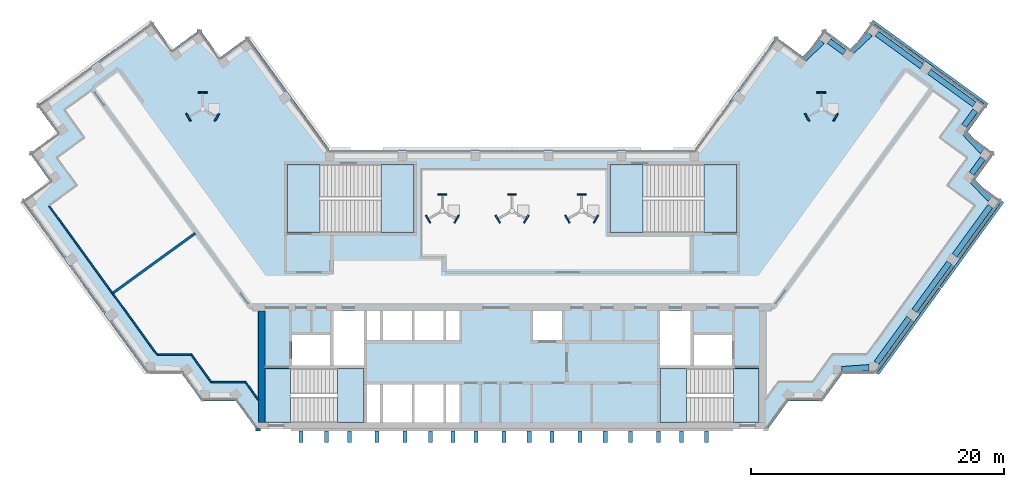
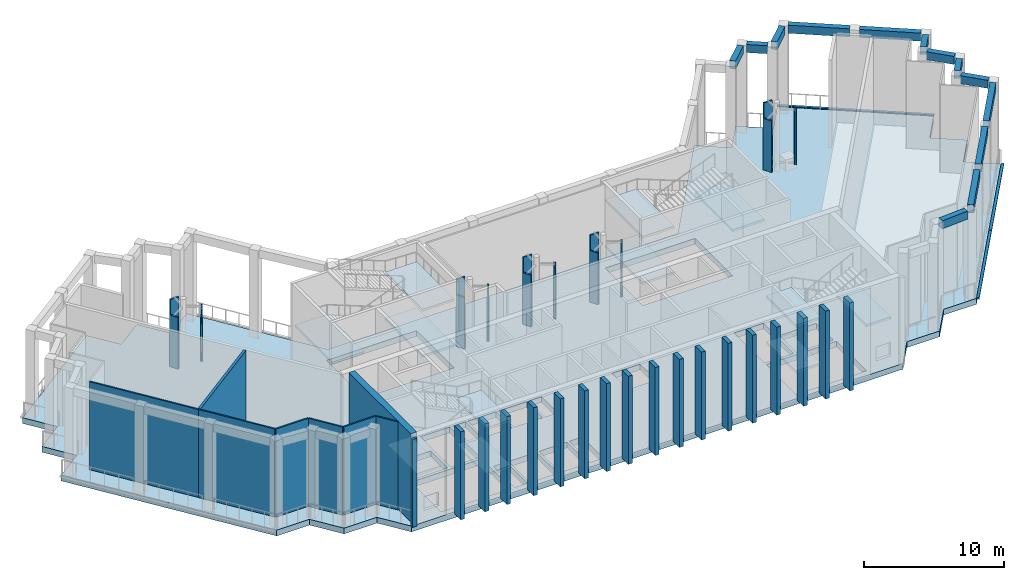
"""IFC4 building model written with IfcOpenShell, lengths in metres."""

from ifc_helpers import new_model, si_unit, direction, frame, frame_2d, origin, origin_2d, place, context, subcontext, project, spatial, polyline, rectangle, outline, extrude, material, layer, layer_set, material_profile, profile_set, type_object, element, aggregate, save


model = new_model("IFC4")

# Units and contexts
model_context = context("Model", 3, precision=1e-05, world=origin(), true_north=direction((0.0, 1.0)))
body_context = subcontext(model_context, "Body", "Model", "MODEL_VIEW")
ifc_project = project(units=[si_unit("LENGTHUNIT", "METRE"), si_unit("AREAUNIT", "SQUARE_METRE"), si_unit("VOLUMEUNIT", "CUBIC_METRE"), si_unit("PLANEANGLEUNIT", "RADIAN"), si_unit("MASSUNIT", "GRAM", prefix="KILO")], contexts=[model_context])

# Site, building, storey
site_placement = place(None, origin())
site = spatial("IfcSite", under=ifc_project, at=site_placement, CompositionType="ELEMENT")
building_placement = place(site_placement, origin())
building = spatial("IfcBuilding", under=site, at=building_placement, Name="Quipu Civic Tower", CompositionType="ELEMENT")
storey_1_placement = place(building_placement, frame((0.0, 0.0, 273.0)))
storey_1 = spatial("IfcBuildingStorey", under=building, at=storey_1_placement, Name="L64", CompositionType="ELEMENT", Elevation=273.0)

# Beams
ifc_material_1 = material(Name="Concrete C50/60", Category="concrete")
ifc_material_profile_1 = material_profile(ifc_material_1, rectangle(XDim=0.449951171875, YDim=0.699951171875, at=origin_2d()), Name="RC450x700")
ifc_profile_set_1 = profile_set([ifc_material_profile_1], Name="Concrete C50/60")
beam_type = type_object("IfcBeamType", Name="Spandrel beam RC 450x700 C50/60", PredefinedType="SPANDREL", material=ifc_profile_set_1)
beam_1_placement = place(storey_1_placement, frame((26.0244140625, -6.3115234375, 7.300048828125), z_axis=(0.997379352029, 0.072349347934, 0.0), x_axis=(-0.072349347934, 0.997379352029, 0.0)))
element("IfcBeam", 1, at=beam_1_placement, inside=storey_1, type_object=beam_type, Name="Spandrel beam L64 J-Eo.3 to J-Eo.4", PredefinedType="SPANDREL", context=body_context, shape_type="SweptSolid", body=[
    extrude(rectangle(XDim=0.449951171875, YDim=0.699951171875, at=origin_2d()), origin(), (0.0, 0.0, 1.0), 2.15625),
])
beam_2_placement = place(storey_1_placement, frame((28.779296875, -5.780029296875, 7.300048828125), z_axis=(0.58777550284, 0.809024077677, 0.0), x_axis=(-0.809024077677, 0.58777550284, 0.0)))
element("IfcBeam", 2, at=beam_2_placement, inside=storey_1, type_object=beam_type, Name="Spandrel beam L64 J-Eo.4 to E-OUT-01", PredefinedType="SPANDREL", context=body_context, shape_type="SweptSolid", body=[
    extrude(rectangle(XDim=0.449951171875, YDim=0.699951171875, at=origin_2d()), origin(), (0.0, 0.0, 1.0), 4.36083984375),
])
beam_3_placement = place(storey_1_placement, frame((31.75390625, -1.685546875, 7.300048828125), z_axis=(0.587788656305, 0.809014521204, 0.0), x_axis=(-0.809014521204, 0.587788656305, 0.0)))
element("IfcBeam", 3, at=beam_3_placement, inside=storey_1, type_object=beam_type, Name="Spandrel beam L64 E-OUT-01 to E-OUT-02", PredefinedType="SPANDREL", context=body_context, shape_type="SweptSolid", body=[
    extrude(rectangle(XDim=0.449951171875, YDim=0.699951171875, at=origin_2d()), origin(), (0.0, 0.0, 1.0), 4.7001953125),
])
beam_4_placement = place(storey_1_placement, frame((34.927978515625, 2.68310546875, 7.300048828125), z_axis=(0.587905928359, 0.808929304328, 0.0), x_axis=(-0.808929304328, 0.587905928359, 0.0)))
element("IfcBeam", 4, at=beam_4_placement, inside=storey_1, type_object=beam_type, Name="Spandrel beam L64 E-OUT-02 to T-Eo.0-E22", PredefinedType="SPANDREL", context=body_context, shape_type="SweptSolid", body=[
    extrude(rectangle(XDim=0.449951171875, YDim=0.699951171875, at=origin_2d()), origin(), (0.0, 0.0, 1.0), 4.80712890625),
])
beam_5_placement = place(storey_1_placement, frame((37.71484375, 7.11279296875, 7.300048828125), z_axis=(-0.689175330605, 0.724594620244, 0.0), x_axis=(-0.724594620244, -0.689175330605, 0.0)))
element("IfcBeam", 5, at=beam_5_placement, inside=storey_1, type_object=beam_type, Name="Spandrel beam L64 T-Eo.0-E22 to T-Eo.1-E22", PredefinedType="SPANDREL", context=body_context, shape_type="SweptSolid", body=[
    extrude(rectangle(XDim=0.449951171875, YDim=0.699951171875, at=origin_2d()), origin(), (0.0, 0.0, 1.0), 2.033447265625),
])
beam_6_placement = place(storey_1_placement, frame((36.273681640625, 9.12744140625, 7.300048828125), z_axis=(0.587164895097, 0.809467347066, 0.0), x_axis=(-0.809467347066, 0.587164895097, 0.0)))
element("IfcBeam", 6, at=beam_6_placement, inside=storey_1, type_object=beam_type, Name="Spandrel beam L64 T-Eo.1-E22 to T-Eo.2-E22", PredefinedType="SPANDREL", context=body_context, shape_type="SweptSolid", body=[
    extrude(rectangle(XDim=0.449951171875, YDim=0.699951171875, at=origin_2d()), origin(), (0.0, 0.0, 1.0), 1.500244140625),
])
beam_7_placement = place(storey_1_placement, frame((37.114990234375, 10.88330078125, 7.300048828125), z_axis=(-0.688247466856, 0.725475998477, 0.0), x_axis=(-0.725475998477, -0.688247466856, 0.0)))
element("IfcBeam", 7, at=beam_7_placement, inside=storey_1, type_object=beam_type, Name="Spandrel beam L64 T-Eo.2-E22 to T-Eo.3-E22", PredefinedType="SPANDREL", context=body_context, shape_type="SweptSolid", body=[
    extrude(rectangle(XDim=0.449951171875, YDim=0.699951171875, at=origin_2d()), origin(), (0.0, 0.0, 1.0), 2.032958984375),
])
beam_8_placement = place(storey_1_placement, frame((35.6767578125, 12.8994140625, 7.300048828125), z_axis=(0.588345920092, 0.808609348394, 0.0), x_axis=(-0.808609348394, 0.588345920092, 0.0)))
element("IfcBeam", 8, at=beam_8_placement, inside=storey_1, type_object=beam_type, Name="Spandrel beam L64 T-Eo.3-E22 to T-Eo.4-E22", PredefinedType="SPANDREL", context=body_context, shape_type="SweptSolid", body=[
    extrude(rectangle(XDim=0.449951171875, YDim=0.699951171875, at=origin_2d()), origin(), (0.0, 0.0, 1.0), 1.499755859375),
])
beam_9_placement = place(storey_1_placement, frame((36.481689453125, 14.6005859375, 7.300048828125), z_axis=(-0.809117270763, 0.587647208921, 0.0), x_axis=(-0.587647208921, -0.809117270763, 0.0)))
element("IfcBeam", 9, at=beam_9_placement, inside=storey_1, type_object=beam_type, Name="Spandrel beam L64 T-Eo.4-E22 to TIP-E-01-E22", PredefinedType="SPANDREL", context=body_context, shape_type="SweptSolid", body=[
    extrude(rectangle(XDim=0.449951171875, YDim=0.699951171875, at=origin_2d()), origin(), (0.0, 0.0, 1.0), 4.40185546875),
])
beam_10_placement = place(storey_1_placement, frame((32.353759765625, 17.5986328125, 7.300048828125), z_axis=(-0.809146152767, 0.587607439931, 0.0), x_axis=(-0.587607439931, -0.809146152767, 0.0)))
element("IfcBeam", 10, at=beam_10_placement, inside=storey_1, type_object=beam_type, Name="Spandrel beam L64 TIP-E-01-E22 to T-Ei.0-E22", PredefinedType="SPANDREL", context=body_context, shape_type="SweptSolid", body=[
    extrude(rectangle(XDim=0.449951171875, YDim=0.699951171875, at=origin_2d()), origin(), (0.0, 0.0, 1.0), 4.400390625),
])
beam_11_placement = place(storey_1_placement, frame((28.251708984375, 20.14501953125, 7.300048828125), z_axis=(-0.725359138958, -0.688370626574, 0.0), x_axis=(0.688370626574, -0.725359138958, 0.0)))
element("IfcBeam", 11, at=beam_11_placement, inside=storey_1, type_object=beam_type, Name="Spandrel beam L64 T-Ei.0-E22 to T-Ei.1-E22", PredefinedType="SPANDREL", context=body_context, shape_type="SweptSolid", body=[
    extrude(rectangle(XDim=0.449951171875, YDim=0.699951171875, at=origin_2d()), origin(), (0.0, 0.0, 1.0), 2.032958984375),
])
beam_12_placement = place(storey_1_placement, frame((26.236083984375, 18.70654296875, 7.300048828125), z_axis=(-0.808644589435, 0.588297482553, 0.0), x_axis=(-0.588297482553, -0.808644589435, 0.0)))
element("IfcBeam", 12, at=beam_12_placement, inside=storey_1, type_object=beam_type, Name="Spandrel beam L64 T-Ei.1-E22 to T-Ei.2-E22", PredefinedType="SPANDREL", context=body_context, shape_type="SweptSolid", body=[
    extrude(rectangle(XDim=0.449951171875, YDim=0.699951171875, at=origin_2d()), origin(), (0.0, 0.0, 1.0), 1.500244140625),
])
beam_13_placement = place(storey_1_placement, frame((24.48193359375, 19.5498046875, 7.300048828125), z_axis=(-0.72511931772, -0.6886232461, 0.0), x_axis=(0.6886232461, -0.72511931772, 0.0)))
element("IfcBeam", 13, at=beam_13_placement, inside=storey_1, type_object=beam_type, Name="Spandrel beam L64 T-Ei.2-E22 to T-Ei.3-E22", PredefinedType="SPANDREL", context=body_context, shape_type="SweptSolid", body=[
    extrude(rectangle(XDim=0.449951171875, YDim=0.699951171875, at=origin_2d()), origin(), (0.0, 0.0, 1.0), 2.03369140625),
])

# Storey
storey_2_placement = place(building_placement, frame((0.0, 0.0, 269.0)))
storey_2 = spatial("IfcBuildingStorey", under=building, at=storey_2_placement, Name="L63", CompositionType="ELEMENT", Elevation=269.0)

# Curtain wall, members
ifc_material_2 = material(Name="Insulated glass unit", Category="glass")
curtain_wall_type = type_object("IfcCurtainWallType", Name="Office curtain wall CW1", PredefinedType="NOTDEFINED", material=ifc_material_2)
curtain_wall_1_placement = place(storey_2_placement, origin())
curtain_wall_1 = element("IfcCurtainWall", 14, at=curtain_wall_1_placement, inside=storey_2, type_object=curtain_wall_type, Name="Office curtain wall CW1 L62 run 16", PredefinedType="NOTDEFINED")
ifc_material_3 = material(Name="Anodised aluminium", Category="aluminium")
ifc_material_profile_2 = material_profile(ifc_material_3, rectangle(XDim=0.199951171875, YDim=0.159912109375, at=origin_2d()), Name="RECT 200x160")
ifc_profile_set_2 = profile_set([ifc_material_profile_2], Name="Anodised aluminium")
member_type = type_object("IfcMemberType", Name="Transom CW1", PredefinedType="USERDEFINED", material=ifc_profile_set_2)
member_1_placement = place(storey_1_placement, frame((28.876708984375, -6.66650390625, 0.0), z_axis=(0.587812107925, 0.808997481935, 0.0), x_axis=(-0.808997481935, 0.587812107925, 0.0)))
member_1 = element("IfcMember", 15, at=member_1_placement, inside=storey_1, type_object=member_type, Name="CW1 transom 1.3", ObjectType="TRANSOM", PredefinedType="USERDEFINED", context=body_context, shape_type="SweptSolid", body=[
    extrude(rectangle(XDim=0.199951171875, YDim=0.159912109375, at=origin_2d()), origin(), (0.0, 0.0, 1.0), 8.35791015625),
])
member_2_placement = place(storey_1_placement, frame((33.83642578125, 0.15966796875, 0.0), z_axis=(0.587779098815, 0.809021465102, 0.0), x_axis=(-0.809021465102, 0.587779098815, 0.0)))
member_2 = element("IfcMember", 16, at=member_2_placement, inside=storey_1, type_object=member_type, Name="CW1 transom 2.3", ObjectType="TRANSOM", PredefinedType="USERDEFINED", context=body_context, shape_type="SweptSolid", body=[
    extrude(rectangle(XDim=0.199951171875, YDim=0.159912109375, at=origin_2d()), origin(), (0.0, 0.0, 1.0), 8.35791015625),
])
aggregate(curtain_wall_1, [member_1, member_2])

# Curtain wall, member
curtain_wall_2_placement = place(storey_2_placement, origin())
curtain_wall_2 = element("IfcCurtainWall", 17, at=curtain_wall_2_placement, inside=storey_2, type_object=curtain_wall_type, Name="Office curtain wall CW1 L62 run 21", PredefinedType="NOTDEFINED")
member_3_placement = place(storey_1_placement, frame((37.536865234375, 14.575927734375, 0.0), z_axis=(-0.809022463805, 0.587777724194, 0.0), x_axis=(-0.587777724194, -0.809022463805, 0.0)))
member_3 = element("IfcMember", 18, at=member_3_placement, inside=storey_1, type_object=member_type, Name="CW1 transom 1.3", ObjectType="TRANSOM", PredefinedType="USERDEFINED", context=body_context, shape_type="SweptSolid", body=[
    extrude(rectangle(XDim=0.199951171875, YDim=0.159912109375, at=origin_2d()), origin(), (0.0, 0.0, 1.0), 11.240234375),
])
aggregate(curtain_wall_2, [member_3])

# Slab
ifc_material_4 = material(Name="Concrete C40/50", Category="concrete")
ifc_layer_1 = layer(ifc_material_4, 0.5)
ifc_layer_set_1 = layer_set([ifc_layer_1], Name="Concrete C40/50")
slab_type_1 = type_object("IfcSlabType", Name="Floor slab 500 C40/50", PredefinedType="FLOOR", material=ifc_layer_set_1)
slab_1_placement = place(storey_1_placement, frame((0.0, 0.0, -0.5)))
element("IfcSlab", 19, at=slab_1_placement, inside=storey_1, type_object=slab_type_1, Name="Floor slab L64", PredefinedType="FLOOR", context=body_context, shape_type="SweptSolid", body=[
    extrude(outline(polyline([(20.860107421875, 19.89501953125), (23.0400390625, 18.31005859375), (24.6298828125, 20.4951171875), (26.81494140625, 18.905029296875), (28.39990234375, 21.090087890625), (37.4599609375, 14.5048828125), (35.875, 12.320068359375), (38.06005859375, 10.735107421875), (36.469970703125, 8.550048828125), (38.655029296875, 6.965087890625), (28.780029296875, -6.6298828125), (26.080078125, -6.6298828125), (24.489990234375, -8.81494140625), (21.7900390625, -8.81494140625), (20.205078125, -11.0), (-20.205078125, -11.0), (-21.7900390625, -8.81494140625), (-24.489990234375, -8.81494140625), (-26.080078125, -6.6298828125), (-28.780029296875, -6.6298828125), (-38.655029296875, 6.965087890625), (-36.469970703125, 8.550048828125), (-38.06005859375, 10.735107421875), (-35.875, 12.320068359375), (-37.4599609375, 14.5048828125), (-28.39990234375, 21.090087890625), (-26.81494140625, 18.905029296875), (-24.6298828125, 20.4951171875), (-23.0400390625, 18.31005859375), (-20.860107421875, 19.89501953125), (-14.39501953125, 11.0), (14.39501953125, 11.0), (20.860107421875, 19.89501953125)]), holes=[polyline([(-11.449951171875, -7.5), (-11.449951171875, -10.5), (-10.39990234375, -10.5), (-10.39990234375, -7.5), (-11.449951171875, -7.5)]), polyline([(-10.199951171875, -7.5), (-10.199951171875, -10.5), (-7.89990234375, -10.5), (-7.89990234375, -7.5), (-10.199951171875, -7.5)]), polyline([(-7.699951171875, -7.5), (-7.699951171875, -10.5), (-5.39990234375, -10.5), (-5.39990234375, -7.5), (-7.699951171875, -7.5)]), polyline([(-11.705078125, -6.2548828125), (-17.4951171875, -6.2548828125), (-17.4951171875, -10.4951171875), (-11.705078125, -10.4951171875), (-11.705078125, -6.2548828125)]), polyline([(-17.35009765625, -3.60009765625), (-17.35009765625, -6.0), (-14.35009765625, -6.0), (-14.35009765625, -3.60009765625), (-17.35009765625, -3.60009765625)]), polyline([(-14.10009765625, -1.699951171875), (-14.10009765625, -6.0), (-11.699951171875, -6.0), (-11.699951171875, -1.699951171875), (-14.10009765625, -1.699951171875)]), polyline([(-11.449951171875, -1.699951171875), (-11.449951171875, -4.0), (-10.39990234375, -4.0), (-10.39990234375, -1.699951171875), (-11.449951171875, -1.699951171875)]), polyline([(-10.199951171875, -1.699951171875), (-10.199951171875, -4.0), (-7.89990234375, -4.0), (-7.89990234375, -1.699951171875), (-10.199951171875, -1.699951171875)]), polyline([(-7.7548828125, 9.844970703125), (-15.14501953125, 9.844970703125), (-15.14501953125, 4.5048828125), (-7.7548828125, 4.5048828125), (-7.7548828125, 9.844970703125)]), polyline([(-5.199951171875, -7.5), (-5.199951171875, -10.5), (-4.14990234375, -10.5), (-4.14990234375, -7.5), (-5.199951171875, -7.5)]), polyline([(11.705078125, -10.4951171875), (17.4951171875, -10.4951171875), (17.4951171875, -6.2548828125), (11.705078125, -6.2548828125), (11.705078125, -10.4951171875)]), polyline([(14.35009765625, -3.60009765625), (14.35009765625, -6.0), (17.35009765625, -6.0), (17.35009765625, -3.60009765625), (14.35009765625, -3.60009765625)]), polyline([(11.699951171875, -1.699951171875), (11.699951171875, -6.0), (14.10009765625, -6.0), (14.10009765625, -1.699951171875), (11.699951171875, -1.699951171875)]), polyline([(-7.699951171875, -1.699951171875), (-7.699951171875, -4.0), (-5.39990234375, -4.0), (-5.39990234375, -1.699951171875), (-7.699951171875, -1.699951171875)]), polyline([(-5.199951171875, -1.699951171875), (-5.199951171875, -4.0), (-4.14990234375, -4.0), (-4.14990234375, -1.699951171875), (-5.199951171875, -1.699951171875)]), polyline([(3.949951171875, -1.699951171875), (1.64990234375, -1.699951171875), (1.64990234375, -4.0), (3.949951171875, -4.0), (3.949951171875, -1.699951171875)]), polyline([(7.7548828125, 9.844970703125), (7.7548828125, 4.5048828125), (15.14501953125, 4.5048828125), (15.14501953125, 9.844970703125), (7.7548828125, 9.844970703125)])]), origin(), (0.0, 0.0, 1.0), 0.5),
])

# Plates
ifc_material_5 = material(Name="Precast concrete C40/50", Category="concrete")
plate_type_1 = type_object("IfcPlateType", Name="Precast fin F3", PredefinedType="SHEET", material=ifc_material_5)
for number, where, z_axis, x_axis, name in (
    (20, (-16.639892578125, -11.637939453125, 0.0), (0.0, 0.0, 1.0), (1.0, 0.0, 0.0), "Precast fin F3 L64.2.1"),
    (21, (-14.639892578125, -11.637939453125, 0.0), (0.0, 0.0, 1.0), (1.0, 0.0, 0.0), "Precast fin F3 L64.2.2"),
    (22, (-12.840087890625, -11.637939453125, 0.0), (0.0, 0.0, 1.0), (1.0, 0.0, 0.0), "Precast fin F3 L64.2.3"),
    (23, (-10.639892578125, -11.637939453125, 0.0), (0.0, 0.0, 1.0), (1.0, 0.0, 0.0), "Precast fin F3 L64.2.4"),
    (24, (-8.43994140625, -11.637939453125, 0.0), (0.0, 0.0, 1.0), (1.0, 0.0, 0.0), "Precast fin F3 L64.2.5"),
    (25, (-6.43994140625, -11.637939453125, 0.0), (0.0, 0.0, 1.0), (1.0, 0.0, 0.0), "Precast fin F3 L64.2.6"),
    (26, (-4.639892578125, -11.637939453125, 0.0), (0.0, 0.0, 1.0), (1.0, 0.0, 0.0), "Precast fin F3 L64.2.7"),
    (27, (-2.840087890625, -11.637939453125, 0.0), (0.0, 0.0, 1.0), (1.0, 0.0, 0.0), "Precast fin F3 L64.2.8"),
    (28, (-0.639892578125, -11.637939453125, 0.0), (0.0, 0.0, 1.0), (1.0, 0.0, 0.0), "Precast fin F3 L64.2.9"),
    (29, (1.360107421875, -11.637939453125, 0.0), (0.0, 0.0, 1.0), (1.0, 0.0, 0.0), "Precast fin F3 L64.2.10"),
    (30, (3.159912109375, -11.637939453125, 0.0), (0.0, 0.0, 1.0), (1.0, 0.0, 0.0), "Precast fin F3 L64.2.11"),
    (31, (5.360107421875, -11.637939453125, 0.0), (0.0, 0.0, 1.0), (1.0, 0.0, 0.0), "Precast fin F3 L64.2.12"),
    (32, (7.360107421875, -11.637939453125, 0.0), (0.0, 0.0, 1.0), (1.0, 0.0, 0.0), "Precast fin F3 L64.2.13"),
    (33, (9.360107421875, -11.637939453125, 0.0), (0.0, 0.0, 1.0), (1.0, 0.0, 0.0), "Precast fin F3 L64.2.14"),
    (34, (11.56005859375, -11.637939453125, 0.0), (0.0, 0.0, 1.0), (1.0, 0.0, 0.0), "Precast fin F3 L64.2.15"),
    (35, (13.360107421875, -11.637939453125, 0.0), (0.0, 0.0, 1.0), (1.0, 0.0, 0.0), "Precast fin F3 L64.2.16"),
    (36, (15.360107421875, -11.637939453125, 0.0), (0.0, 0.0, 1.0), (1.0, 0.0, 0.0), "Precast fin F3 L64.2.17"),
):
    element("IfcPlate", number, at=place(storey_1_placement, frame(where, z_axis=z_axis, x_axis=x_axis)), inside=storey_1, type_object=plate_type_1, Name=name, PredefinedType="SHEET", context=body_context, shape_type="SweptSolid", body=[
        extrude(rectangle(XDim=0.320068359375, YDim=0.89990234375, at=origin_2d()), origin(), (0.0, 0.0, 1.0), 7.64990234375),
    ])

# Stair, slabs
ifc_material_6 = material(Name="Concrete C40/50", Category="concrete")
stair_type_1 = type_object("IfcStairType", Name="Half turn stair 2000", PredefinedType="HALF_TURN_STAIR", material=ifc_material_6)
stair_1_placement = place(storey_1_placement, origin())
stair_1 = element("IfcStair", 37, at=stair_1_placement, inside=storey_1, type_object=stair_type_1, Name="Exit stair 1", PredefinedType="HALF_TURN_STAIR")
ifc_material_7 = material(Name="Concrete C40/50", Category="concrete")
ifc_layer_2 = layer(ifc_material_7, 0.199951171875)
ifc_layer_set_2 = layer_set([ifc_layer_2], Name="Concrete C40/50")
slab_type_2 = type_object("IfcSlabType", Name="Stair landing 200", PredefinedType="LANDING", material=ifc_layer_set_2)
slab_2_placement = place(storey_1_placement, frame((0.0, 0.0, 1.800048828125)))
slab_2 = element("IfcSlab", 38, at=slab_2_placement, type_object=slab_type_2, Name="ST-1 landing 1", PredefinedType="LANDING", context=body_context, shape_type="SweptSolid", body=[
    extrude(outline(polyline([(-13.780029296875, -10.5), (-11.699951171875, -10.5), (-11.699951171875, -6.25), (-13.780029296875, -6.25), (-13.780029296875, -10.5)])), origin(), (0.0, 0.0, 1.0), 0.199951171875),
])
slab_3_placement = place(storey_1_placement, frame((0.0, 0.0, 3.800048828125)))
slab_3 = element("IfcSlab", 39, at=slab_3_placement, type_object=slab_type_2, Name="ST-1 landing 2", PredefinedType="LANDING", context=body_context, shape_type="SweptSolid", body=[
    extrude(outline(polyline([(-19.5, -10.5), (-17.5, -10.5), (-17.5, -6.25), (-19.5, -6.25), (-19.5, -10.5)])), origin(), (0.0, 0.0, 1.0), 0.199951171875),
])
slab_4_placement = place(storey_1_placement, frame((0.0, 0.0, 5.800048828125)))
slab_4 = element("IfcSlab", 40, at=slab_4_placement, type_object=slab_type_2, Name="ST-1 landing 3", PredefinedType="LANDING", context=body_context, shape_type="SweptSolid", body=[
    extrude(outline(polyline([(-13.780029296875, -10.5), (-11.699951171875, -10.5), (-11.699951171875, -6.25), (-13.780029296875, -6.25), (-13.780029296875, -10.5)])), origin(), (0.0, 0.0, 1.0), 0.199951171875),
])
aggregate(stair_1, [slab_2, slab_3, slab_4])

stair_2_placement = place(storey_1_placement, origin())
stair_2 = element("IfcStair", 41, at=stair_2_placement, inside=storey_1, type_object=stair_type_1, Name="Exit stair 2", PredefinedType="HALF_TURN_STAIR")
slab_5_placement = place(storey_1_placement, frame((0.0, 0.0, 1.800048828125)))
slab_5 = element("IfcSlab", 42, at=slab_5_placement, type_object=slab_type_2, Name="ST-2 landing 1", PredefinedType="LANDING", context=body_context, shape_type="SweptSolid", body=[
    extrude(outline(polyline([(13.780029296875, -6.25), (11.699951171875, -6.25), (11.699951171875, -10.5), (13.780029296875, -10.5), (13.780029296875, -6.25)])), origin(), (0.0, 0.0, 1.0), 0.199951171875),
])
slab_6_placement = place(storey_1_placement, frame((0.0, 0.0, 3.800048828125)))
slab_6 = element("IfcSlab", 43, at=slab_6_placement, type_object=slab_type_2, Name="ST-2 landing 2", PredefinedType="LANDING", context=body_context, shape_type="SweptSolid", body=[
    extrude(outline(polyline([(19.5, -6.25), (17.5, -6.25), (17.5, -10.5), (19.5, -10.5), (19.5, -6.25)])), origin(), (0.0, 0.0, 1.0), 0.199951171875),
])
slab_7_placement = place(storey_1_placement, frame((0.0, 0.0, 5.800048828125)))
slab_7 = element("IfcSlab", 44, at=slab_7_placement, type_object=slab_type_2, Name="ST-2 landing 3", PredefinedType="LANDING", context=body_context, shape_type="SweptSolid", body=[
    extrude(outline(polyline([(13.780029296875, -6.25), (11.699951171875, -6.25), (11.699951171875, -10.5), (13.780029296875, -10.5), (13.780029296875, -6.25)])), origin(), (0.0, 0.0, 1.0), 0.199951171875),
])
aggregate(stair_2, [slab_5, slab_6, slab_7])

ifc_material_8 = material(Name="Concrete C40/50", Category="concrete")
stair_type_2 = type_object("IfcStairType", Name="Half turn stair 2600", PredefinedType="HALF_TURN_STAIR", material=ifc_material_8)
stair_3_placement = place(storey_1_placement, origin())
stair_3 = element("IfcStair", 45, at=stair_3_placement, inside=storey_1, type_object=stair_type_2, Name="Exit stair 3", PredefinedType="HALF_TURN_STAIR")
slab_8_placement = place(storey_1_placement, frame((0.0, 0.0, 1.800048828125)))
slab_8 = element("IfcSlab", 46, at=slab_8_placement, type_object=slab_type_2, Name="ST-3 landing 1", PredefinedType="LANDING", context=body_context, shape_type="SweptSolid", body=[
    extrude(outline(polyline([(-10.35009765625, 4.5), (-7.75, 4.5), (-7.75, 9.85009765625), (-10.35009765625, 9.85009765625), (-10.35009765625, 4.5)])), origin(), (0.0, 0.0, 1.0), 0.199951171875),
])
slab_9_placement = place(storey_1_placement, frame((0.0, 0.0, 3.800048828125)))
slab_9 = element("IfcSlab", 47, at=slab_9_placement, type_object=slab_type_2, Name="ST-3 landing 2", PredefinedType="LANDING", context=body_context, shape_type="SweptSolid", body=[
    extrude(outline(polyline([(-17.75, 4.5), (-15.14990234375, 4.5), (-15.14990234375, 9.85009765625), (-17.75, 9.85009765625), (-17.75, 4.5)])), origin(), (0.0, 0.0, 1.0), 0.199951171875),
])
slab_10_placement = place(storey_1_placement, frame((0.0, 0.0, 5.800048828125)))
slab_10 = element("IfcSlab", 48, at=slab_10_placement, type_object=slab_type_2, Name="ST-3 landing 3", PredefinedType="LANDING", context=body_context, shape_type="SweptSolid", body=[
    extrude(outline(polyline([(-10.35009765625, 4.5), (-7.75, 4.5), (-7.75, 9.85009765625), (-10.35009765625, 9.85009765625), (-10.35009765625, 4.5)])), origin(), (0.0, 0.0, 1.0), 0.199951171875),
])
aggregate(stair_3, [slab_8, slab_9, slab_10])

stair_4_placement = place(storey_1_placement, origin())
stair_4 = element("IfcStair", 49, at=stair_4_placement, inside=storey_1, type_object=stair_type_2, Name="Exit stair 4", PredefinedType="HALF_TURN_STAIR")
slab_11_placement = place(storey_1_placement, frame((0.0, 0.0, 1.800048828125)))
slab_11 = element("IfcSlab", 50, at=slab_11_placement, type_object=slab_type_2, Name="ST-4 landing 1", PredefinedType="LANDING", context=body_context, shape_type="SweptSolid", body=[
    extrude(outline(polyline([(10.35009765625, 9.85009765625), (7.75, 9.85009765625), (7.75, 4.5), (10.35009765625, 4.5), (10.35009765625, 9.85009765625)])), origin(), (0.0, 0.0, 1.0), 0.199951171875),
])
slab_12_placement = place(storey_1_placement, frame((0.0, 0.0, 3.800048828125)))
slab_12 = element("IfcSlab", 51, at=slab_12_placement, type_object=slab_type_2, Name="ST-4 landing 2", PredefinedType="LANDING", context=body_context, shape_type="SweptSolid", body=[
    extrude(outline(polyline([(17.75, 9.85009765625), (15.14990234375, 9.85009765625), (15.14990234375, 4.5), (17.75, 4.5), (17.75, 9.85009765625)])), origin(), (0.0, 0.0, 1.0), 0.199951171875),
])
slab_13_placement = place(storey_1_placement, frame((0.0, 0.0, 5.800048828125)))
slab_13 = element("IfcSlab", 52, at=slab_13_placement, type_object=slab_type_2, Name="ST-4 landing 3", PredefinedType="LANDING", context=body_context, shape_type="SweptSolid", body=[
    extrude(outline(polyline([(10.35009765625, 9.85009765625), (7.75, 9.85009765625), (7.75, 4.5), (10.35009765625, 4.5), (10.35009765625, 9.85009765625)])), origin(), (0.0, 0.0, 1.0), 0.199951171875),
])
aggregate(stair_4, [slab_11, slab_12, slab_13])

# Plates
ifc_material_9 = material(Name="Anodised aluminium", Category="aluminium")
ifc_layer_3 = layer(ifc_material_9, 0.1201171875)
ifc_layer_set_3 = layer_set([ifc_layer_3], Name="Anodised aluminium")
plate_type_2 = type_object("IfcPlateType", Name="Turbine blade", PredefinedType="SHEET", material=ifc_layer_set_3)
for number, where, z_axis, x_axis, name in (
    (53, (-24.412109375, 15.5380859375, 0.760009765625), (0.0, 0.0, 1.0), (-1.0, 0.0, 0.0), "Wind turbine VT-1 blade 1"),
    (54, (-25.537841796875, 13.587890625, 0.760009765625), (0.0, 0.0, 1.0), (0.5, -0.866025403784, 0.0), "Wind turbine VT-1 blade 2"),
    (55, (-23.2861328125, 13.587890625, 0.760009765625), (0.0, 0.0, 1.0), (0.5, 0.866025403784, 0.0), "Wind turbine VT-1 blade 3"),
    (56, (-5.5, 7.5, 0.760009765625), (0.0, 0.0, 1.0), (-1.0, 0.0, 0.0), "Wind turbine VT-2 blade 1"),
    (57, (-6.625732421875, 5.550048828125, 0.760009765625), (0.0, 0.0, 1.0), (0.5, -0.866025403784, 0.0), "Wind turbine VT-2 blade 2"),
    (58, (-4.374267578125, 5.550048828125, 0.760009765625), (0.0, 0.0, 1.0), (0.5, 0.866025403784, 0.0), "Wind turbine VT-2 blade 3"),
    (59, (0.0, 7.5, 0.760009765625), (0.0, 0.0, 1.0), (-1.0, 0.0, 0.0), "Wind turbine VT-3 blade 1"),
    (60, (-1.125732421875, 5.550048828125, 0.760009765625), (0.0, 0.0, 1.0), (0.5, -0.866025403784, 0.0), "Wind turbine VT-3 blade 2"),
    (61, (1.125732421875, 5.550048828125, 0.760009765625), (0.0, 0.0, 1.0), (0.5, 0.866025403784, 0.0), "Wind turbine VT-3 blade 3"),
    (62, (5.5, 7.5, 0.760009765625), (0.0, 0.0, 1.0), (-1.0, 0.0, 0.0), "Wind turbine VT-4 blade 1"),
    (63, (4.374267578125, 5.550048828125, 0.760009765625), (0.0, 0.0, 1.0), (0.5, -0.866025403784, 0.0), "Wind turbine VT-4 blade 2"),
    (64, (6.625732421875, 5.550048828125, 0.760009765625), (0.0, 0.0, 1.0), (0.5, 0.866025403784, 0.0), "Wind turbine VT-4 blade 3"),
    (65, (24.412109375, 15.5380859375, 0.760009765625), (0.0, 0.0, 1.0), (-1.0, 0.0, 0.0), "Wind turbine VT-5 blade 1"),
    (66, (23.2861328125, 13.587890625, 0.760009765625), (0.0, 0.0, 1.0), (0.5, -0.866025403784, 0.0), "Wind turbine VT-5 blade 2"),
    (67, (25.537841796875, 13.587890625, 0.760009765625), (0.0, 0.0, 1.0), (0.5, 0.866025403784, 0.0), "Wind turbine VT-5 blade 3"),
):
    element("IfcPlate", number, at=place(storey_1_placement, frame(where, z_axis=z_axis, x_axis=x_axis)), inside=storey_1, type_object=plate_type_2, Name=name, PredefinedType="SHEET", context=body_context, shape_type="SweptSolid", body=[
        extrude(rectangle(XDim=0.699951171875, YDim=0.1201171875, at=origin_2d()), origin(), (0.0, 0.0, 1.0), 4.47998046875),
    ])

# Walls
ifc_material_10 = material(Name="Fired clay blockwork", Category="masonry")
ifc_layer_4 = layer(ifc_material_10, 0.199951171875)
ifc_layer_set_4 = layer_set([ifc_layer_4], Name="Fired clay blockwork")
wall_type_1 = type_object("IfcWallType", Name="Blockwork wall 200", PredefinedType="SOLIDWALL", material=ifc_layer_set_4)
wall_1_placement = place(storey_1_placement, frame((-25.00830078125, 4.4267578125, 0.0), z_axis=(0.0, 0.0, 1.0), x_axis=(-0.809016634131, -0.587785748125, 0.0)))
element("IfcWall", 68, at=wall_1_placement, inside=storey_1, type_object=wall_type_1, Name="Partition P01", PredefinedType="SOLIDWALL", context=body_context, shape_type="SweptSolid", body=[
    extrude(rectangle(XDim=8.050537109375, YDim=0.199951171875, at=frame_2d((4.025390625, 0.0))), origin(), (0.0, 0.0, 1.0), 7.64990234375),
])
ifc_material_11 = material(Name="Concrete C70/85", Category="concrete")
ifc_layer_5 = layer(ifc_material_11, 0.5)
ifc_layer_set_5 = layer_set([ifc_layer_5], Name="Concrete C70/85")
wall_type_2 = type_object("IfcWallType", Name="Core wall 500", PredefinedType="SHEAR", material=ifc_layer_set_5)
wall_2_placement = place(storey_1_placement, frame((-19.75, -10.5, 0.0), z_axis=(0.0, 0.0, 1.0), x_axis=(0.0, 1.0, 0.0)))
element("IfcWall", 69, at=wall_2_placement, inside=storey_1, type_object=wall_type_2, Name="Core wall", PredefinedType="SHEAR", context=body_context, shape_type="SweptSolid", body=[
    extrude(rectangle(XDim=8.800048828125, YDim=0.5, at=frame_2d((4.39990234375, 0.0))), origin(), (0.0, 0.0, 1.0), 7.64990234375),
])
ifc_material_12 = material(Name="Gypsum plasterboard on light gauge framing")
ifc_layer_6 = layer(ifc_material_12, 0.1201171875)
ifc_layer_set_6 = layer_set([ifc_layer_6], Name="Gypsum plasterboard on light gauge framing")
wall_type_3 = type_object("IfcWallType", Name="Partition 120 plasterboard", PredefinedType="PARTITIONING", material=ifc_layer_set_6)
wall_3_placement = place(storey_1_placement, frame((-28.014892578125, -5.131103515625, 0.0), z_axis=(0.0, 0.0, 1.0), x_axis=(1.0, 0.0, 0.0)))
element("IfcWall", 70, at=wall_3_placement, inside=storey_1, type_object=wall_type_3, Name="Partition P04", PredefinedType="PARTITIONING", context=body_context, shape_type="SweptSolid", body=[
    extrude(rectangle(XDim=2.699951171875, YDim=0.1201171875, at=frame_2d((1.35009765625, 0.0))), origin(), (0.0, 0.0, 1.0), 7.64990234375),
])
wall_4_placement = place(storey_1_placement, frame((-25.29150390625, -5.163330078125, 0.0), z_axis=(0.0, 0.0, 1.0), x_axis=(0.587669599435, -0.809101008466, 0.0)))
element("IfcWall", 71, at=wall_4_placement, inside=storey_1, type_object=wall_type_3, Name="Partition P05", PredefinedType="PARTITIONING", context=body_context, shape_type="SweptSolid", body=[
    extrude(rectangle(XDim=2.660400390625, YDim=0.1201171875, at=frame_2d((1.330078125, 0.0))), origin(), (0.0, 0.0, 1.0), 7.64990234375),
])
wall_5_placement = place(storey_1_placement, frame((-23.68798828125, -7.31591796875, 0.0), z_axis=(0.0, 0.0, 1.0), x_axis=(1.0, 0.0, 0.0)))
element("IfcWall", 72, at=wall_5_placement, inside=storey_1, type_object=wall_type_3, Name="Partition P06", PredefinedType="PARTITIONING", context=body_context, shape_type="SweptSolid", body=[
    extrude(rectangle(XDim=2.659912109375, YDim=0.1201171875, at=frame_2d((1.330078125, 0.0))), origin(), (0.0, 0.0, 1.0), 7.64990234375),
])
wall_6_placement = place(storey_1_placement, frame((-21.00439453125, -7.348388671875, 0.0), z_axis=(0.0, 0.0, 1.0), x_axis=(0.588018712203, -0.808847324345, 0.0)))
element("IfcWall", 73, at=wall_6_placement, inside=storey_1, type_object=wall_type_3, Name="Partition P07", PredefinedType="PARTITIONING", context=body_context, shape_type="SweptSolid", body=[
    extrude(rectangle(XDim=1.7080078125, YDim=0.1201171875, at=frame_2d((0.85400390625, 0.0))), origin(), (0.0, 0.0, 1.0), 7.64990234375),
])
wall_7_placement = place(storey_1_placement, frame((-31.532958984375, -0.2890625, 0.0), z_axis=(0.0, 0.0, 1.0), x_axis=(0.587788268014, -0.809014803317, 0.0)))
element("IfcWall", 74, at=wall_7_placement, inside=storey_1, type_object=wall_type_3, Name="Partition P08", PredefinedType="PARTITIONING", context=body_context, shape_type="SweptSolid", body=[
    extrude(rectangle(XDim=5.945068359375, YDim=0.1201171875, at=frame_2d((2.97265625, 0.0))), origin(), (0.0, 0.0, 1.0), 7.64990234375),
])
wall_8_placement = place(storey_1_placement, frame((-36.525634765625, 6.58349609375, 0.0), z_axis=(0.0, 0.0, 1.0), x_axis=(0.587744391111, -0.809046680185, 0.0)))
element("IfcWall", 75, at=wall_8_placement, inside=storey_1, type_object=wall_type_3, Name="Partition P14", PredefinedType="PARTITIONING", context=body_context, shape_type="SweptSolid", body=[
    extrude(rectangle(XDim=8.49462890625, YDim=0.1201171875, at=frame_2d((4.247314453125, 0.0))), origin(), (0.0, 0.0, 1.0), 7.64990234375),
])
ifc_material_13 = material(Name="Precast concrete C40/50", Category="concrete")
wall_type_4 = type_object("IfcWallType", Name="Precast cladding wall", PredefinedType="SOLIDWALL", material=ifc_material_13)
wall_9_placement = place(storey_1_placement, frame((-20.255859375, -11.087890625, 0.0), z_axis=(0.0, 0.0, 1.0), x_axis=(1.0, 0.0, 0.0)))
element("IfcWall", 76, at=wall_9_placement, inside=storey_1, type_object=wall_type_4, Name="Precast cladding wall L64 1", PredefinedType="SOLIDWALL", context=body_context, shape_type="SweptSolid", body=[
    extrude(rectangle(XDim=0.40576171875, YDim=0.199951171875, at=frame_2d((0.202880859375, 0.0))), origin(), (0.0, 0.0, 1.0), 7.64990234375),
])

save(model, "model.ifc")
